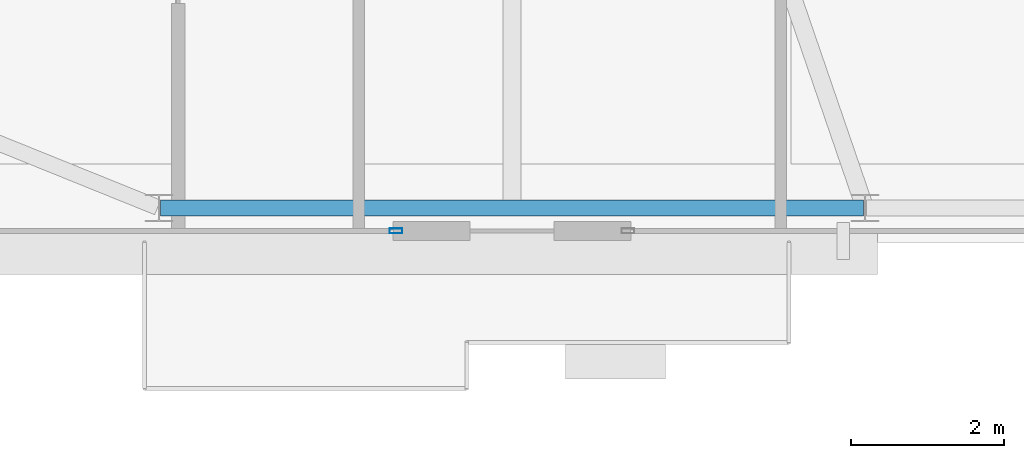
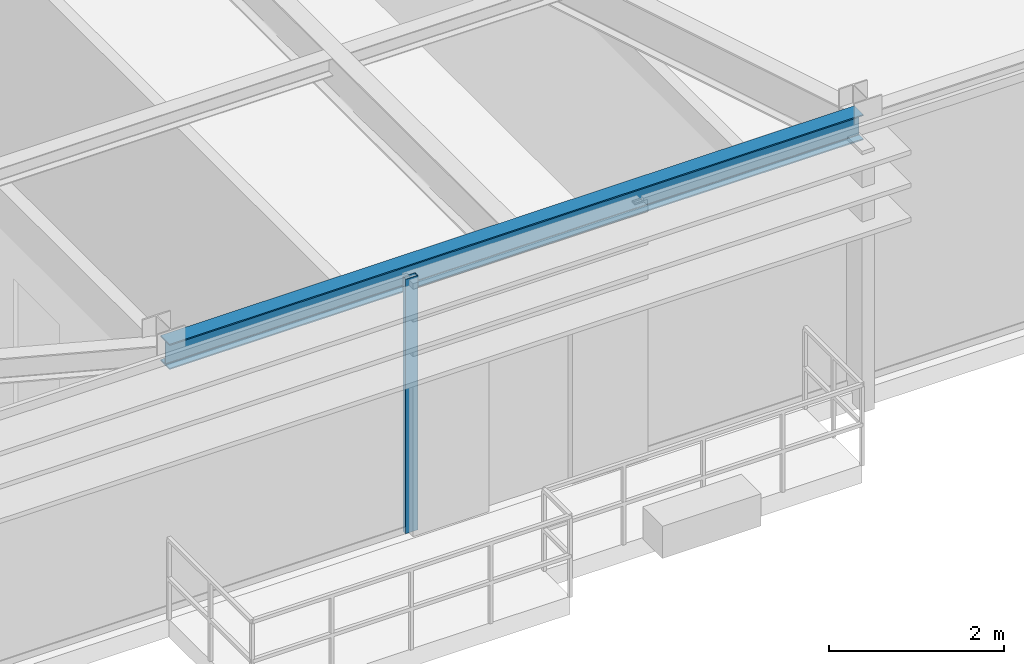
# One storey, part 6 of 30: 1 beam, 1 member, 1 element without a shape of its own.
"""IFC4 building model written with IfcOpenShell, lengths in metres."""

from ifc_helpers import new_model, si_unit, direction, frame, origin, origin_2d, place, context, subcontext, project, spatial, hollow_rectangle, i_section, extrude, source, transform, mapped, material, layer, layer_set, material_profile, profile_set, type_object, type_shapes, element, aggregate, save


model = new_model("IFC4")

# Units and contexts
model_context = context("Model", 3, precision=1e-05, world=origin(), true_north=direction((0.0, 1.0)))
body_context = subcontext(model_context, "Body", "Model", "MODEL_VIEW")
ifc_project = project(units=[si_unit("LENGTHUNIT", "METRE"), si_unit("AREAUNIT", "SQUARE_METRE"), si_unit("VOLUMEUNIT", "CUBIC_METRE"), si_unit("PLANEANGLEUNIT", "RADIAN"), si_unit("MASSUNIT", "GRAM", prefix="KILO")], contexts=[model_context])

# Site, building, storey
site_placement = place(None, origin())
site = spatial("IfcSite", under=ifc_project, at=site_placement, CompositionType="ELEMENT")
building_placement = place(site_placement, origin())
building = spatial("IfcBuilding", under=site, at=building_placement, Name="Varnel Quay Broadcast Tower", CompositionType="ELEMENT")
storey_placement = place(building_placement, frame((0.0, 0.0, 207.39990234375)))
storey = spatial("IfcBuildingStorey", under=building, at=storey_placement, Name="L51", CompositionType="ELEMENT", Elevation=207.39990234375)

# Beam
ifc_material_1 = material(Name="Structural Steel CSA G40.21 350W", Category="steel")
ifc_material_profile_1 = material_profile(ifc_material_1, i_section(OverallWidth=0.205078125, OverallDepth=0.35400390625, WebThickness=0.009521484375, FlangeThickness=0.016845703125, FilletRadius=0.012939453125, at=origin_2d()), Name="W360X79")
ifc_profile_set_1 = profile_set([ifc_material_profile_1], Name="Structural Steel CSA G40.21 350W")
beam_type = type_object("IfcBeamType", Name="Beam_W360X79", PredefinedType="SPANDREL", material=ifc_profile_set_1)
shared_shape_1 = source(origin(), body_context, "Body", "SweptSolid", [
    extrude(i_section(OverallWidth=0.205078125, OverallDepth=0.35400390625, WebThickness=0.009521484375, FlangeThickness=0.016845703125, FilletRadius=0.012939453125, at=origin_2d()), origin(), (0.0, 0.0, 1.0), 9.159912109375),
])
type_shapes(beam_type, [shared_shape_1])
beam_placement = place(storey_placement, frame((20.219970703125, 10.64990234375, 3.373046875), z_axis=(1.0, 0.0, 0.0), x_axis=(0.0, 1.0, 0.0)))
element("IfcBeam", 1, at=beam_placement, inside=storey, type_object=beam_type, Name="L51 South Spandrel TC-S1-TC-S2", PredefinedType="SPANDREL", context=body_context, shape_type="MappedRepresentation", body=[
    mapped(shared_shape_1, transform((0.0, 0.0, 0.0), x_axis=(1.0, 0.0, 0.0), y_axis=(0.0, 1.0, 0.0), z_axis=(0.0, 0.0, 1.0), scale=1.0)),
])

# Curtain wall, member
ifc_material_2 = material(Name="Anodised Bronze Aluminium 6063-T6", Category="aluminium")
ifc_layer = layer(ifc_material_2, 0.18994140625, Name="Anodised Bronze Aluminium 6063-T6")
ifc_layer_set = layer_set([ifc_layer], Name="Anodised Bronze Aluminium 6063-T6")
curtain_wall_type = type_object("IfcCurtainWallType", Name="CW_UpperTower", PredefinedType="NOTDEFINED", material=ifc_layer_set)
curtain_wall_placement = place(storey_placement, origin())
curtain_wall = element("IfcCurtainWall", 2, at=curtain_wall_placement, inside=storey, type_object=curtain_wall_type, Name="L51 South Unitised Curtain Wall 1", PredefinedType="NOTDEFINED")
ifc_material_profile_2 = material_profile(ifc_material_2, hollow_rectangle(XDim=0.06494140625, YDim=0.1650390625, WallThickness=0.00341796875, at=origin_2d()), Name="ALU65X165X3.5")
ifc_profile_set_2 = profile_set([ifc_material_profile_2], Name="Anodised Bronze Aluminium 6063-T6")
member_type = type_object("IfcMemberType", Name="Mull_CWS-03", PredefinedType="MULLION", material=ifc_profile_set_2)
shared_shape_2 = source(origin(), body_context, "Body", "SweptSolid", [
    extrude(hollow_rectangle(XDim=0.06494140625, YDim=0.1650390625, WallThickness=0.00341796875, at=origin_2d()), origin(), (0.0, 0.0, 1.0), 3.550048828125),
])
type_shapes(member_type, [shared_shape_2])
member_placement = place(storey_placement, frame((23.28759765625, 10.35009765625, 0.0), z_axis=(0.0, 0.0, 1.0), x_axis=(0.0, 1.0, 0.0)))
member = element("IfcMember", 3, at=member_placement, type_object=member_type, Name="CWS-03 mullion 2", PredefinedType="MULLION", context=body_context, shape_type="MappedRepresentation", body=[
    mapped(shared_shape_2, transform((0.0, 0.0, 0.0), x_axis=(1.0, 0.0, 0.0), y_axis=(0.0, 1.0, 0.0), z_axis=(0.0, 0.0, 1.0), scale=1.0)),
])
aggregate(curtain_wall, [member])

save(model, "model.ifc")
